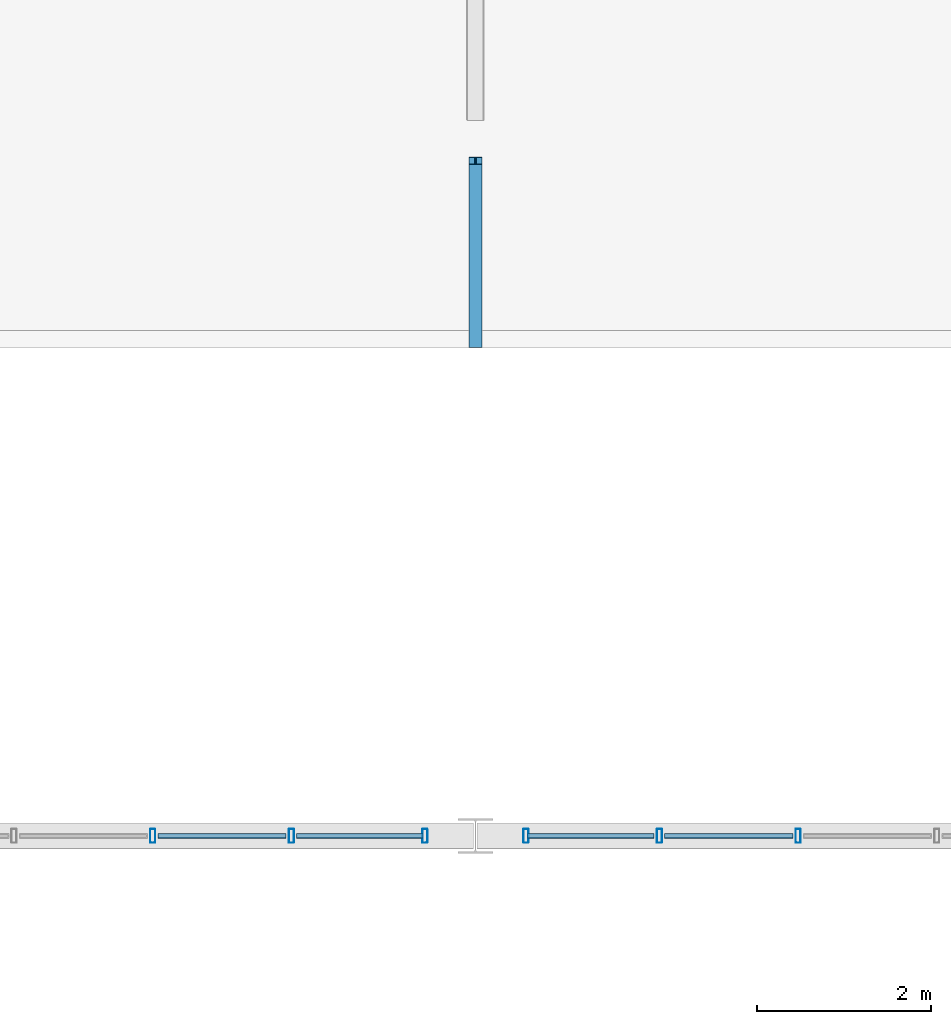
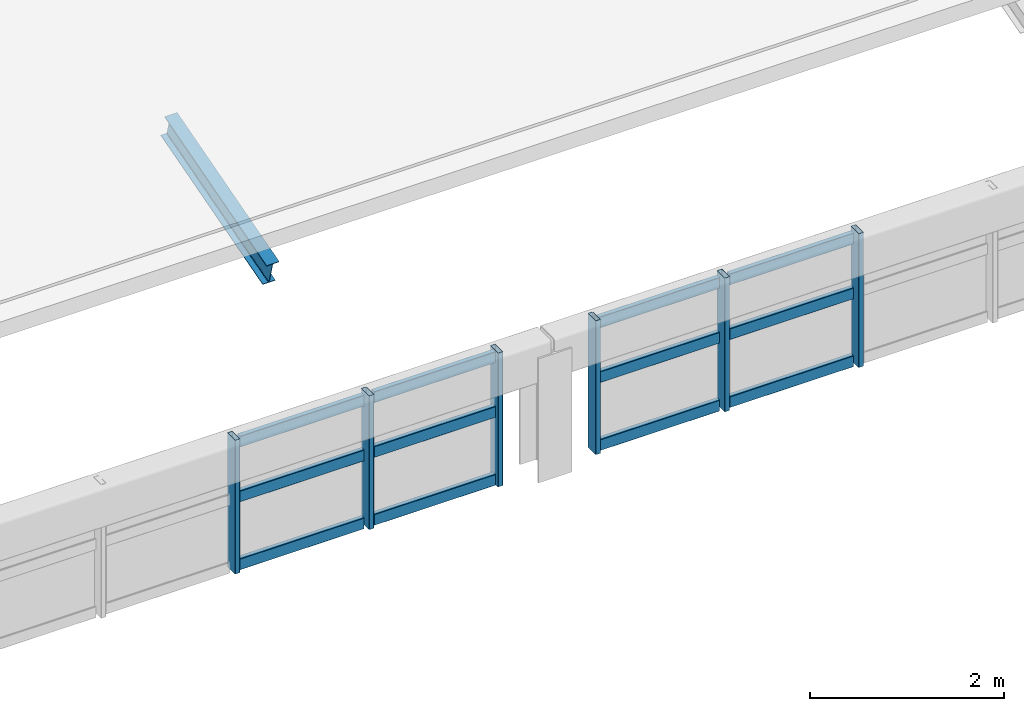
# One storey, part 51 of 128: 18 members, 1 beam, 2 elements without a shape of their own.
"""IFC4 building model written with IfcOpenShell, lengths in metres."""

from ifc_helpers import new_model, si_unit, derived_unit, direction, frame, origin, origin_2d, place, context, subcontext, project, spatial, hollow_rectangle, i_section, extrude, material, material_profile, profile_set, type_object, element, aggregate, save


model = new_model("IFC4")

# Units and contexts
model_context = context("Model", 3, precision=1e-05, world=origin(), true_north=direction((0.0, 1.0)))
body_context = subcontext(model_context, "Body", "Model", "MODEL_VIEW")
ifc_project = project(units=[si_unit("LENGTHUNIT", "METRE"), si_unit("AREAUNIT", "SQUARE_METRE"), si_unit("VOLUMEUNIT", "CUBIC_METRE"), si_unit("PLANEANGLEUNIT", "RADIAN"), si_unit("MASSUNIT", "GRAM", prefix="KILO"), derived_unit("THERMALTRANSMITTANCEUNIT", [(si_unit("MASSUNIT", "GRAM", prefix="KILO"), 1), (si_unit("TIMEUNIT", "SECOND"), -3), (si_unit("THERMODYNAMICTEMPERATUREUNIT", "KELVIN"), -1)])], contexts=[model_context])

# Site, building, storey
site_placement = place(None, origin())
site = spatial("IfcSite", under=ifc_project, at=site_placement, CompositionType="ELEMENT")
building_placement = place(site_placement, origin())
building = spatial("IfcBuilding", under=site, at=building_placement, Name="Zhenchuan Archway Interchange", CompositionType="ELEMENT")
storey_placement = place(building_placement, frame((0.0, 0.0, 14.39990234375)))
storey = spatial("IfcBuildingStorey", under=building, at=storey_placement, Name="L03", CompositionType="ELEMENT", Elevation=14.39990234375)

# Beam
ifc_material_1 = material(Name="Steel Q355", Category="steel")
ifc_material_profile_1 = material_profile(ifc_material_1, i_section(OverallWidth=0.14990234375, OverallDepth=0.300048828125, WebThickness=0.006591796875, FlangeThickness=0.009033203125, FilletRadius=0.012939453125, at=origin_2d()), Name="HN 300x150")
ifc_profile_set_1 = profile_set([ifc_material_profile_1], Name="Steel Q355")
beam_type = type_object("IfcBeamType", Name="BM_STL_EAVE_HN300", PredefinedType="BEAM", material=ifc_profile_set_1)
beam_placement = place(storey_placement, frame((36.0, 95.75, -0.3798828125), z_axis=(0.0, -0.961515511102, -0.274750654067), x_axis=(1.0, 0.0, 0.0)))
element("IfcBeam", 1, at=beam_placement, inside=storey, type_object=beam_type, Name="Terminal Wing storm-eave bracket X36-S", PredefinedType="BEAM", context=body_context, shape_type="SweptSolid", body=[
    extrude(i_section(OverallWidth=0.14990234375, OverallDepth=0.300048828125, WebThickness=0.006591796875, FlangeThickness=0.009033203125, FilletRadius=0.012939453125, at=origin_2d()), origin(), (0.0, 0.0, 1.0), 2.18408203125),
])

# Curtain wall, members
ifc_material_2 = material(Name="Anodised Aluminium", Category="aluminium")
curtain_wall_type = type_object("IfcCurtainWallType", Name="CW_UNIT_4", PredefinedType="NOTDEFINED", material=ifc_material_2)
curtain_wall_1_placement = place(storey_placement, origin())
curtain_wall_1 = element("IfcCurtainWall", 2, at=curtain_wall_1_placement, inside=storey, type_object=curtain_wall_type, Name="Unitised curtain wall CW:L03:RING-N1", PredefinedType="NOTDEFINED")
ifc_material_profile_2 = material_profile(ifc_material_2, hollow_rectangle(XDim=0.06005859375, YDim=0.159912109375, WallThickness=0.00390625, InnerFilletRadius=0.00390625, OuterFilletRadius=0.008056640625, at=origin_2d()), Name="ALU 160x60x4")
ifc_profile_set_2 = profile_set([ifc_material_profile_2], Name="Anodised Aluminium")
member_type_1 = type_object("IfcMemberType", Name="CW_MUL_150", PredefinedType="MULLION", material=ifc_profile_set_2)
member_1_placement = place(storey_placement, frame((32.2958984375, 88.0, 0.02001953125), z_axis=(0.0, 0.0, 1.0), x_axis=(1.0, 0.0, 0.0)))
member_1 = element("IfcMember", 3, at=member_1_placement, type_object=member_type_1, Name="CW:L03:RING-N1 mullion 3", PredefinedType="MULLION", context=body_context, shape_type="SweptSolid", body=[
    extrude(hollow_rectangle(XDim=0.06005859375, YDim=0.159912109375, WallThickness=0.00390625, InnerFilletRadius=0.00390625, OuterFilletRadius=0.008056640625, at=origin_2d()), origin(), (0.0, 0.0, 1.0), 1.68017578125),
])
member_2_placement = place(storey_placement, frame((33.887939453125, 88.0, 0.02001953125), z_axis=(0.0, 0.0, 1.0), x_axis=(1.0, 0.0, 0.0)))
member_2 = element("IfcMember", 4, at=member_2_placement, type_object=member_type_1, Name="CW:L03:RING-N1 mullion 4", PredefinedType="MULLION", context=body_context, shape_type="SweptSolid", body=[
    extrude(hollow_rectangle(XDim=0.06005859375, YDim=0.159912109375, WallThickness=0.00390625, InnerFilletRadius=0.00390625, OuterFilletRadius=0.008056640625, at=origin_2d()), origin(), (0.0, 0.0, 1.0), 1.68017578125),
])
member_3_placement = place(storey_placement, frame((35.419921875, 88.0, 0.02001953125), z_axis=(0.0, 0.0, 1.0), x_axis=(1.0, 0.0, 0.0)))
member_3 = element("IfcMember", 5, at=member_3_placement, type_object=member_type_1, Name="CW:L03:RING-N1 mullion 5", PredefinedType="MULLION", context=body_context, shape_type="SweptSolid", body=[
    extrude(hollow_rectangle(XDim=0.06005859375, YDim=0.159912109375, WallThickness=0.00390625, InnerFilletRadius=0.00390625, OuterFilletRadius=0.008056640625, at=origin_2d()), origin(), (0.0, 0.0, 1.0), 1.68017578125),
])

curtain_wall_2_placement = place(storey_placement, origin())
curtain_wall_2 = element("IfcCurtainWall", 6, at=curtain_wall_2_placement, inside=storey, type_object=curtain_wall_type, Name="Unitised curtain wall CW:L03:RING-N2", PredefinedType="NOTDEFINED")
member_4_placement = place(storey_placement, frame((36.580078125, 88.0, 0.02001953125), z_axis=(0.0, 0.0, 1.0), x_axis=(1.0, 0.0, 0.0)))
member_4 = element("IfcMember", 7, at=member_4_placement, type_object=member_type_1, Name="CW:L03:RING-N2 mullion 0", PredefinedType="MULLION", context=body_context, shape_type="SweptSolid", body=[
    extrude(hollow_rectangle(XDim=0.06005859375, YDim=0.159912109375, WallThickness=0.00390625, InnerFilletRadius=0.00390625, OuterFilletRadius=0.008056640625, at=origin_2d()), origin(), (0.0, 0.0, 1.0), 1.68017578125),
])
member_5_placement = place(storey_placement, frame((38.112060546875, 88.0, 0.02001953125), z_axis=(0.0, 0.0, 1.0), x_axis=(1.0, 0.0, 0.0)))
member_5 = element("IfcMember", 8, at=member_5_placement, type_object=member_type_1, Name="CW:L03:RING-N2 mullion 1", PredefinedType="MULLION", context=body_context, shape_type="SweptSolid", body=[
    extrude(hollow_rectangle(XDim=0.06005859375, YDim=0.159912109375, WallThickness=0.00390625, InnerFilletRadius=0.00390625, OuterFilletRadius=0.008056640625, at=origin_2d()), origin(), (0.0, 0.0, 1.0), 1.68017578125),
])
member_6_placement = place(storey_placement, frame((39.7041015625, 88.0, 0.02001953125), z_axis=(0.0, 0.0, 1.0), x_axis=(1.0, 0.0, 0.0)))
member_6 = element("IfcMember", 9, at=member_6_placement, type_object=member_type_1, Name="CW:L03:RING-N2 mullion 2", PredefinedType="MULLION", context=body_context, shape_type="SweptSolid", body=[
    extrude(hollow_rectangle(XDim=0.06005859375, YDim=0.159912109375, WallThickness=0.00390625, InnerFilletRadius=0.00390625, OuterFilletRadius=0.008056640625, at=origin_2d()), origin(), (0.0, 0.0, 1.0), 1.68017578125),
])

# Member
ifc_material_profile_3 = material_profile(ifc_material_2, hollow_rectangle(XDim=0.06005859375, YDim=0.139892578125, WallThickness=0.00341796875, InnerFilletRadius=0.00341796875, OuterFilletRadius=0.007080078125, at=origin_2d()), Name="ALU 140x60x3.5")
ifc_profile_set_3 = profile_set([ifc_material_profile_3], Name="Anodised Aluminium")
member_type_2 = type_object("IfcMemberType", Name="CW_TRN_140", PredefinedType="USERDEFINED", material=ifc_profile_set_3)
member_7_placement = place(storey_placement, frame((32.35595703125, 88.0, 0.080078125), z_axis=(1.0, 0.0, 0.0), x_axis=(0.0, 1.0, 0.0)))
member_7 = element("IfcMember", 10, at=member_7_placement, type_object=member_type_2, Name="CW:L03:RING-N1 transom 3-1", ObjectType="TRANSOM", PredefinedType="USERDEFINED", context=body_context, shape_type="SweptSolid", body=[
    extrude(hollow_rectangle(XDim=0.06005859375, YDim=0.139892578125, WallThickness=0.00341796875, InnerFilletRadius=0.00341796875, OuterFilletRadius=0.007080078125, at=origin_2d()), origin(), (0.0, 0.0, 1.0), 1.471923828125),
])

member_8_placement = place(storey_placement, frame((32.35595703125, 88.0, 0.93310546875), z_axis=(1.0, 0.0, 0.0), x_axis=(0.0, 1.0, 0.0)))
member_8 = element("IfcMember", 11, at=member_8_placement, type_object=member_type_2, Name="CW:L03:RING-N1 transom 3-2", ObjectType="TRANSOM", PredefinedType="USERDEFINED", context=body_context, shape_type="SweptSolid", body=[
    extrude(hollow_rectangle(XDim=0.06005859375, YDim=0.139892578125, WallThickness=0.00341796875, InnerFilletRadius=0.00341796875, OuterFilletRadius=0.007080078125, at=origin_2d()), origin(), (0.0, 0.0, 1.0), 1.471923828125),
])

member_9_placement = place(storey_placement, frame((32.35595703125, 88.0, 1.6201171875), z_axis=(1.0, 0.0, 0.0), x_axis=(0.0, 1.0, 0.0)))
member_9 = element("IfcMember", 12, at=member_9_placement, type_object=member_type_2, Name="CW:L03:RING-N1 transom 3-3", ObjectType="TRANSOM", PredefinedType="USERDEFINED", context=body_context, shape_type="SweptSolid", body=[
    extrude(hollow_rectangle(XDim=0.06005859375, YDim=0.139892578125, WallThickness=0.00341796875, InnerFilletRadius=0.00341796875, OuterFilletRadius=0.007080078125, at=origin_2d()), origin(), (0.0, 0.0, 1.0), 1.471923828125),
])

member_10_placement = place(storey_placement, frame((33.947998046875, 88.0, 0.080078125), z_axis=(1.0, 0.0, 0.0), x_axis=(0.0, 1.0, 0.0)))
member_10 = element("IfcMember", 13, at=member_10_placement, type_object=member_type_2, Name="CW:L03:RING-N1 transom 4-1", ObjectType="TRANSOM", PredefinedType="USERDEFINED", context=body_context, shape_type="SweptSolid", body=[
    extrude(hollow_rectangle(XDim=0.06005859375, YDim=0.139892578125, WallThickness=0.00341796875, InnerFilletRadius=0.00341796875, OuterFilletRadius=0.007080078125, at=origin_2d()), origin(), (0.0, 0.0, 1.0), 1.451904296875),
])

member_11_placement = place(storey_placement, frame((33.947998046875, 88.0, 0.93310546875), z_axis=(1.0, 0.0, 0.0), x_axis=(0.0, 1.0, 0.0)))
member_11 = element("IfcMember", 14, at=member_11_placement, type_object=member_type_2, Name="CW:L03:RING-N1 transom 4-2", ObjectType="TRANSOM", PredefinedType="USERDEFINED", context=body_context, shape_type="SweptSolid", body=[
    extrude(hollow_rectangle(XDim=0.06005859375, YDim=0.139892578125, WallThickness=0.00341796875, InnerFilletRadius=0.00341796875, OuterFilletRadius=0.007080078125, at=origin_2d()), origin(), (0.0, 0.0, 1.0), 1.451904296875),
])

member_12_placement = place(storey_placement, frame((33.947998046875, 88.0, 1.6201171875), z_axis=(1.0, 0.0, 0.0), x_axis=(0.0, 1.0, 0.0)))
member_12 = element("IfcMember", 15, at=member_12_placement, type_object=member_type_2, Name="CW:L03:RING-N1 transom 4-3", ObjectType="TRANSOM", PredefinedType="USERDEFINED", context=body_context, shape_type="SweptSolid", body=[
    extrude(hollow_rectangle(XDim=0.06005859375, YDim=0.139892578125, WallThickness=0.00341796875, InnerFilletRadius=0.00341796875, OuterFilletRadius=0.007080078125, at=origin_2d()), origin(), (0.0, 0.0, 1.0), 1.451904296875),
])

aggregate(curtain_wall_1, [member_1, member_2, member_3, member_7, member_8, member_9, member_10, member_11, member_12])

member_13_placement = place(storey_placement, frame((36.60009765625, 88.0, 0.080078125), z_axis=(1.0, 0.0, 0.0), x_axis=(0.0, 1.0, 0.0)))
member_13 = element("IfcMember", 16, at=member_13_placement, type_object=member_type_2, Name="CW:L03:RING-N2 transom 0-1", ObjectType="TRANSOM", PredefinedType="USERDEFINED", context=body_context, shape_type="SweptSolid", body=[
    extrude(hollow_rectangle(XDim=0.06005859375, YDim=0.139892578125, WallThickness=0.00341796875, InnerFilletRadius=0.00341796875, OuterFilletRadius=0.007080078125, at=origin_2d()), origin(), (0.0, 0.0, 1.0), 1.451904296875),
])

member_14_placement = place(storey_placement, frame((36.60009765625, 88.0, 0.93310546875), z_axis=(1.0, 0.0, 0.0), x_axis=(0.0, 1.0, 0.0)))
member_14 = element("IfcMember", 17, at=member_14_placement, type_object=member_type_2, Name="CW:L03:RING-N2 transom 0-2", ObjectType="TRANSOM", PredefinedType="USERDEFINED", context=body_context, shape_type="SweptSolid", body=[
    extrude(hollow_rectangle(XDim=0.06005859375, YDim=0.139892578125, WallThickness=0.00341796875, InnerFilletRadius=0.00341796875, OuterFilletRadius=0.007080078125, at=origin_2d()), origin(), (0.0, 0.0, 1.0), 1.451904296875),
])

member_15_placement = place(storey_placement, frame((36.60009765625, 88.0, 1.6201171875), z_axis=(1.0, 0.0, 0.0), x_axis=(0.0, 1.0, 0.0)))
member_15 = element("IfcMember", 18, at=member_15_placement, type_object=member_type_2, Name="CW:L03:RING-N2 transom 0-3", ObjectType="TRANSOM", PredefinedType="USERDEFINED", context=body_context, shape_type="SweptSolid", body=[
    extrude(hollow_rectangle(XDim=0.06005859375, YDim=0.139892578125, WallThickness=0.00341796875, InnerFilletRadius=0.00341796875, OuterFilletRadius=0.007080078125, at=origin_2d()), origin(), (0.0, 0.0, 1.0), 1.451904296875),
])

member_16_placement = place(storey_placement, frame((38.172119140625, 88.0, 0.080078125), z_axis=(1.0, 0.0, 0.0), x_axis=(0.0, 1.0, 0.0)))
member_16 = element("IfcMember", 19, at=member_16_placement, type_object=member_type_2, Name="CW:L03:RING-N2 transom 1-1", ObjectType="TRANSOM", PredefinedType="USERDEFINED", context=body_context, shape_type="SweptSolid", body=[
    extrude(hollow_rectangle(XDim=0.06005859375, YDim=0.139892578125, WallThickness=0.00341796875, InnerFilletRadius=0.00341796875, OuterFilletRadius=0.007080078125, at=origin_2d()), origin(), (0.0, 0.0, 1.0), 1.471923828125),
])

member_17_placement = place(storey_placement, frame((38.172119140625, 88.0, 0.93310546875), z_axis=(1.0, 0.0, 0.0), x_axis=(0.0, 1.0, 0.0)))
member_17 = element("IfcMember", 20, at=member_17_placement, type_object=member_type_2, Name="CW:L03:RING-N2 transom 1-2", ObjectType="TRANSOM", PredefinedType="USERDEFINED", context=body_context, shape_type="SweptSolid", body=[
    extrude(hollow_rectangle(XDim=0.06005859375, YDim=0.139892578125, WallThickness=0.00341796875, InnerFilletRadius=0.00341796875, OuterFilletRadius=0.007080078125, at=origin_2d()), origin(), (0.0, 0.0, 1.0), 1.471923828125),
])

member_18_placement = place(storey_placement, frame((38.172119140625, 88.0, 1.6201171875), z_axis=(1.0, 0.0, 0.0), x_axis=(0.0, 1.0, 0.0)))
member_18 = element("IfcMember", 21, at=member_18_placement, type_object=member_type_2, Name="CW:L03:RING-N2 transom 1-3", ObjectType="TRANSOM", PredefinedType="USERDEFINED", context=body_context, shape_type="SweptSolid", body=[
    extrude(hollow_rectangle(XDim=0.06005859375, YDim=0.139892578125, WallThickness=0.00341796875, InnerFilletRadius=0.00341796875, OuterFilletRadius=0.007080078125, at=origin_2d()), origin(), (0.0, 0.0, 1.0), 1.471923828125),
])

aggregate(curtain_wall_2, [member_4, member_5, member_6, member_13, member_14, member_15, member_16, member_17, member_18])

save(model, "model.ifc")
